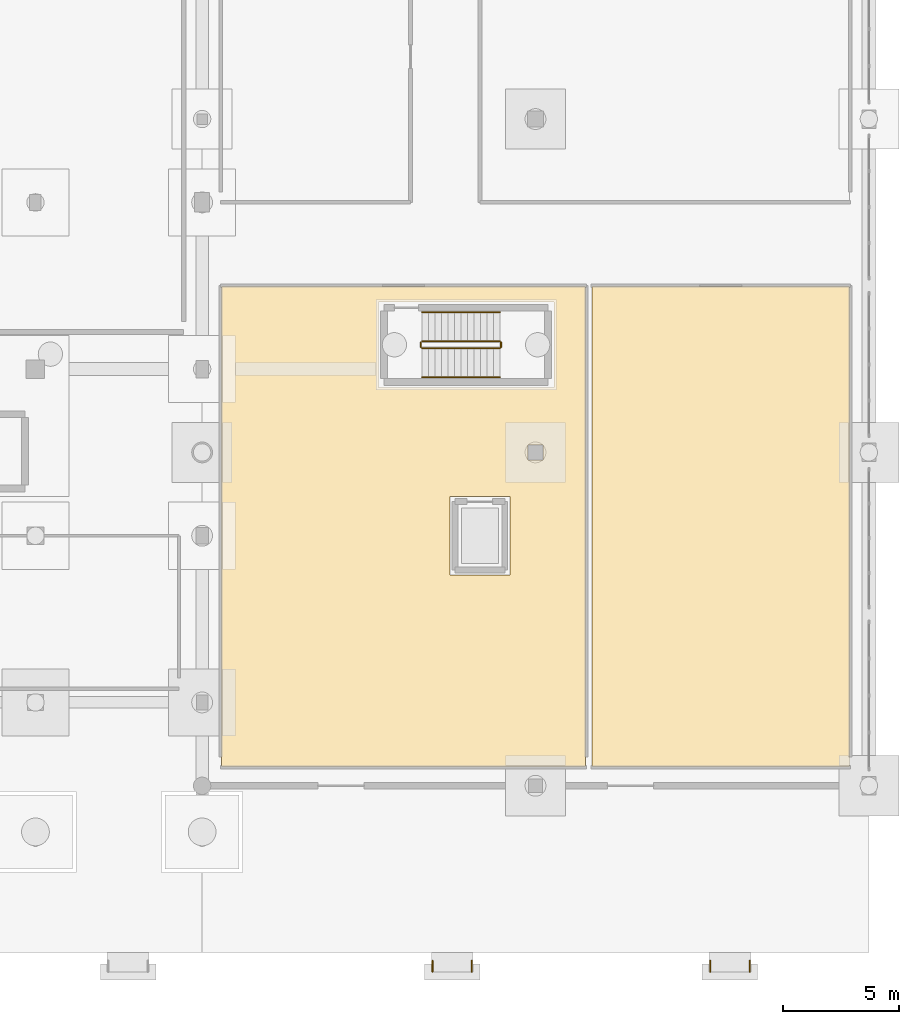
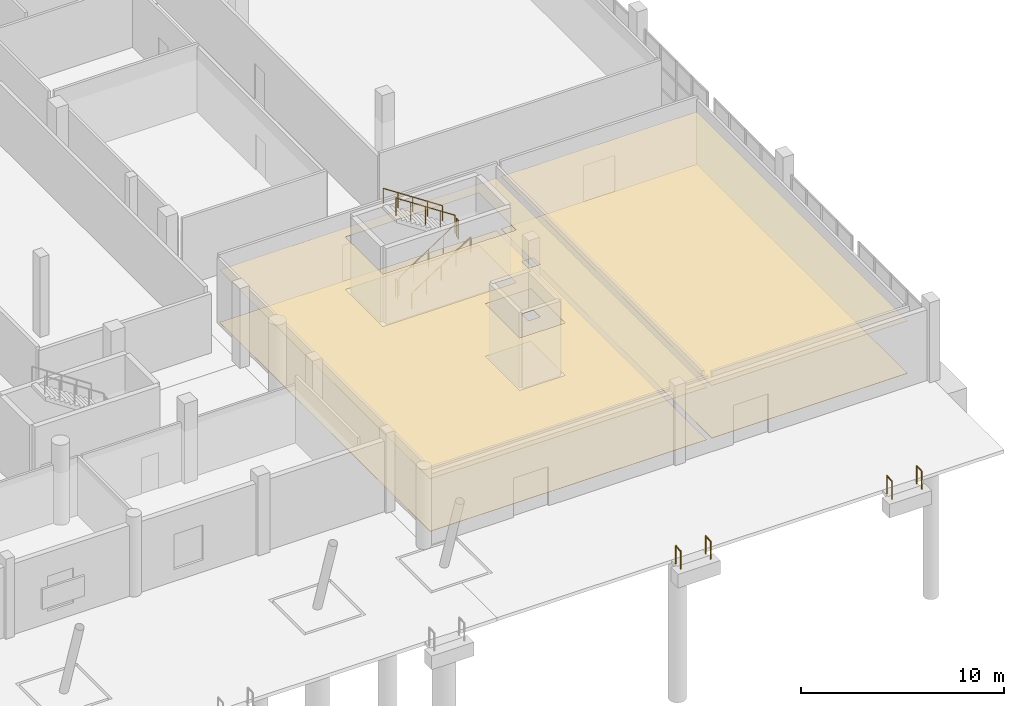
# One storey, part 281 of 285: 10 railings, 4 coverings.
"""IFC4 building model written with IfcOpenShell, lengths in metres."""

from ifc_helpers import new_model, si_unit, direction, frame, origin, origin_2d, place, context, subcontext, project, spatial, polyline, circle, outline, extrude, material, layer, layer_set, type_object, element, save


model = new_model("IFC4")

# Units and contexts
model_context = context("Model", 3, precision=1e-05, world=origin(), true_north=direction((0.0, 1.0)))
body_context = subcontext(model_context, "Body", "Model", "MODEL_VIEW")
ifc_project = project(units=[si_unit("LENGTHUNIT", "METRE"), si_unit("AREAUNIT", "SQUARE_METRE"), si_unit("VOLUMEUNIT", "CUBIC_METRE"), si_unit("PLANEANGLEUNIT", "RADIAN"), si_unit("MASSUNIT", "GRAM", prefix="KILO")], contexts=[model_context])

# Site, building, storey
site_placement = place(None, origin())
site = spatial("IfcSite", under=ifc_project, at=site_placement, CompositionType="ELEMENT")
building_placement = place(site_placement, origin())
building = spatial("IfcBuilding", under=site, at=building_placement, Name="Solanera Park Tramway Depot", CompositionType="ELEMENT")
storey_placement = place(building_placement, origin())
storey = spatial("IfcBuildingStorey", under=building, at=storey_placement, Name="L00", CompositionType="ELEMENT", Elevation=0.0)

# Coverings
ifc_material_1 = material(Name="Acoustic perforated plasterboard and mineral-fibre ceiling")
ifc_layer_1 = layer(ifc_material_1, 0.02001953125)
ifc_layer_set_1 = layer_set([ifc_layer_1], Name="Acoustic perforated plasterboard and mineral-fibre ceiling")
covering_type_1 = type_object("IfcCoveringType", Name="Acoustic Mineral-Fibre Ceiling 20", PredefinedType="CEILING", material=ifc_layer_set_1)
covering_1_placement = place(storey_placement, frame((0.0, 0.0, 3.14990234375)))
element("IfcCovering", 1, at=covering_1_placement, inside=storey, type_object=covering_type_1, Name="Civic Parkland Reception and Ticketing Foyer Acoustic Ceiling", PredefinedType="CEILING", context=body_context, shape_type="SweptSolid", body=[
    extrude(outline(polyline([(203.760009765625, 28.760009765625), (203.760009765625, 8.0400390625), (188.0400390625, 8.0400390625), (188.0400390625, 28.760009765625), (203.760009765625, 28.760009765625)]), holes=[polyline([(194.81005859375, 24.409912109375), (202.389892578125, 24.409912109375), (202.389892578125, 28.090087890625), (194.81005859375, 28.090087890625), (194.81005859375, 24.409912109375)]), polyline([(197.909912109375, 19.68994140625), (197.909912109375, 16.31005859375), (200.489990234375, 16.31005859375), (200.489990234375, 19.68994140625), (197.909912109375, 19.68994140625)]), polyline([(201.927978515625, 21.27197265625), (201.927978515625, 21.927978515625), (201.27197265625, 21.927978515625), (201.27197265625, 21.27197265625), (201.927978515625, 21.27197265625)])]), origin(), (0.0, 0.0, 1.0), 0.02001953125),
])
covering_2_placement = place(storey_placement, frame((0.0, 0.0, 3.14990234375)))
element("IfcCovering", 2, at=covering_2_placement, inside=storey, type_object=covering_type_1, Name="Darwin Tramway Heritage Exhibition Hall Acoustic Ceiling", PredefinedType="CEILING", context=body_context, shape_type="SweptSolid", body=[
    extrude(outline(polyline([(215.159912109375, 8.0400390625), (204.0400390625, 8.0400390625), (204.0400390625, 28.760009765625), (215.159912109375, 28.760009765625), (215.159912109375, 8.0400390625)])), origin(), (0.0, 0.0, 1.0), 0.02001953125),
])

# Railings
ifc_material_2 = material(Name="Steel AS/NZS 1163 Grade C350L0", Category="steel")
ifc_layer_2 = layer(ifc_material_2, 0.050048828125)
ifc_layer_set_2 = layer_set([ifc_layer_2], Name="Steel AS/NZS 1163 Grade C350L0")
railing_type_1 = type_object("IfcRailingType", Name="External Ramp Guardrail 1100", PredefinedType="GUARDRAIL", material=ifc_layer_set_2)
for number, where, name in (
    (3, (197.14990234375, -0.840087890625, -0.06005859375), "Ramp Guardrail RMP-P01"),
    (4, (198.85009765625, -0.840087890625, -0.06005859375), "Ramp Guardrail RMP-P01"),
    (5, (209.14990234375, -0.840087890625, -0.06005859375), "Ramp Guardrail RMP-P02"),
    (6, (210.85009765625, -0.840087890625, -0.06005859375), "Ramp Guardrail RMP-P02"),
):
    element("IfcRailing", number, at=place(storey_placement, frame(where)), inside=storey, type_object=railing_type_1, Name=name, PredefinedType="GUARDRAIL", context=body_context, shape_type="SweptSolid", body=[
        extrude(circle(Radius=0.02392578125, at=origin_2d()), frame((0.0, 0.0, 1.076171875), z_axis=(0.0, 0.997435944579, 0.071564910822), x_axis=(-1.0, 0.0, 0.0)), (0.0, 0.0, 1.0), 0.4912109375),
        extrude(circle(Radius=0.02099609375, at=origin_2d()), origin(), (0.0, 0.0, 1.0), 1.052001953125),
        extrude(circle(Radius=0.02099609375, at=origin_2d()), frame((0.0, 0.489990234375, 0.03515625)), (0.0, 0.0, 1.0), 1.052001953125),
    ])
ifc_material_3 = material(Name="Brushed stainless steel 316 handrail", Category="steel")
ifc_layer_3 = layer(ifc_material_3, 0.050048828125)
ifc_layer_set_3 = layer_set([ifc_layer_3], Name="Brushed stainless steel 316 handrail")
railing_type_2 = type_object("IfcRailingType", Name="Stair Pitch Tubular Handrail 920", PredefinedType="HANDRAIL", material=ifc_layer_set_3)
railing_1_placement = place(storey_placement, frame((196.699951171875, 24.85009765625, 0.1845703125)))
element("IfcRailing", 7, at=railing_1_placement, inside=storey, type_object=railing_type_2, Name="ST-10 L00 Pitch Handrail 1", PredefinedType="HANDRAIL", context=body_context, shape_type="SweptSolid", body=[
    extrude(circle(Radius=0.02392578125, at=origin_2d()), frame((0.0, 0.0, 0.89599609375), z_axis=(0.834876476806, 0.0, 0.550437342915), x_axis=(0.0, 1.0, 0.0)), (0.0, 0.0, 1.0), 4.024658203125),
    extrude(circle(Radius=0.02099609375, at=origin_2d()), origin(), (0.0, 0.0, 1.0), 0.871826171875),
    extrude(circle(Radius=0.02099609375, at=origin_2d()), frame((0.840087890625, 0.0, 0.5537109375)), (0.0, 0.0, 1.0), 0.871826171875),
    extrude(circle(Radius=0.02099609375, at=origin_2d()), frame((1.68017578125, 0.0, 1.107666015625)), (0.0, 0.0, 1.0), 0.871826171875),
    extrude(circle(Radius=0.02099609375, at=origin_2d()), frame((2.52001953125, 0.0, 1.66162109375)), (0.0, 0.0, 1.0), 0.871826171875),
    extrude(circle(Radius=0.02099609375, at=origin_2d()), frame((3.360107421875, 0.0, 2.21533203125)), (0.0, 0.0, 1.0), 0.871826171875),
])
railing_2_placement = place(storey_placement, frame((200.06005859375, 27.64990234375, 2.584716796875)))
element("IfcRailing", 8, at=railing_2_placement, inside=storey, type_object=railing_type_2, Name="ST-10 L00 Pitch Handrail 2", PredefinedType="HANDRAIL", context=body_context, shape_type="SweptSolid", body=[
    extrude(circle(Radius=0.02392578125, at=origin_2d()), frame((0.0, 0.0, 0.89599609375), z_axis=(-0.834876476806, 0.0, 0.550437342915), x_axis=(0.0, -1.0, 0.0)), (0.0, 0.0, 1.0), 4.024658203125),
    extrude(circle(Radius=0.02099609375, at=origin_2d()), origin(), (0.0, 0.0, 1.0), 0.871826171875),
    extrude(circle(Radius=0.02099609375, at=origin_2d()), frame((-0.840087890625, 0.0, 0.5537109375)), (0.0, 0.0, 1.0), 0.871826171875),
    extrude(circle(Radius=0.02099609375, at=origin_2d()), frame((-1.68017578125, 0.0, 1.107666015625)), (0.0, 0.0, 1.0), 0.871826171875),
    extrude(circle(Radius=0.02099609375, at=origin_2d()), frame((-2.52001953125, 0.0, 1.66162109375)), (0.0, 0.0, 1.0), 0.871826171875),
    extrude(circle(Radius=0.02099609375, at=origin_2d()), frame((-3.360107421875, 0.0, 2.21533203125)), (0.0, 0.0, 1.0), 0.871826171875),
])
ifc_material_4 = material(Name="Steel AS/NZS 1163 Grade C350L0", Category="steel")
ifc_layer_4 = layer(ifc_material_4, 0.06005859375)
ifc_layer_set_4 = layer_set([ifc_layer_4], Name="Steel AS/NZS 1163 Grade C350L0")
railing_type_3 = type_object("IfcRailingType", Name="Stairwell Guardrail 1100", PredefinedType="GUARDRAIL", material=ifc_layer_set_4)
railing_3_placement = place(storey_placement, frame((196.699951171875, 26.10009765625, 0.1845703125)))
element("IfcRailing", 9, at=railing_3_placement, inside=storey, type_object=railing_type_3, Name="ST-10 L00 Well Guard 1", PredefinedType="GUARDRAIL", context=body_context, shape_type="SweptSolid", body=[
    extrude(circle(Radius=0.02392578125, at=origin_2d()), frame((0.0, 0.0, 1.076171875), z_axis=(0.834876476806, 0.0, 0.550437342915), x_axis=(0.0, 1.0, 0.0)), (0.0, 0.0, 1.0), 4.024658203125),
    extrude(circle(Radius=0.02099609375, at=origin_2d()), origin(), (0.0, 0.0, 1.0), 1.052001953125),
    extrude(circle(Radius=0.02099609375, at=origin_2d()), frame((0.840087890625, 0.0, 0.5537109375)), (0.0, 0.0, 1.0), 1.052001953125),
    extrude(circle(Radius=0.02099609375, at=origin_2d()), frame((1.68017578125, 0.0, 1.107666015625)), (0.0, 0.0, 1.0), 1.052001953125),
    extrude(circle(Radius=0.02099609375, at=origin_2d()), frame((2.52001953125, 0.0, 1.66162109375)), (0.0, 0.0, 1.0), 1.052001953125),
    extrude(circle(Radius=0.02099609375, at=origin_2d()), frame((3.360107421875, 0.0, 2.21533203125)), (0.0, 0.0, 1.0), 1.052001953125),
])
railing_4_placement = place(storey_placement, frame((200.110107421875, 26.14990234375, 2.39990234375)))
element("IfcRailing", 10, at=railing_4_placement, inside=storey, type_object=railing_type_3, Name="ST-10 L00 Well Guard 2", PredefinedType="GUARDRAIL", context=body_context, shape_type="SweptSolid", body=[
    extrude(circle(Radius=0.02392578125, at=origin_2d()), frame((0.0, 0.0, 1.076171875), z_axis=(0.0, 1.0, 0.0), x_axis=(-1.0, 0.0, 0.0)), (0.0, 0.0, 1.0), 0.2001953125),
    extrude(circle(Radius=0.02099609375, at=origin_2d()), origin(), (0.0, 0.0, 1.0), 1.052001953125),
    extrude(circle(Radius=0.02099609375, at=origin_2d()), frame((0.0, 0.2001953125, 0.0)), (0.0, 0.0, 1.0), 1.052001953125),
])
railing_5_placement = place(storey_placement, frame((200.06005859375, 26.39990234375, 2.584716796875)))
element("IfcRailing", 11, at=railing_5_placement, inside=storey, type_object=railing_type_3, Name="ST-10 L00 Well Guard 3", PredefinedType="GUARDRAIL", context=body_context, shape_type="SweptSolid", body=[
    extrude(circle(Radius=0.02392578125, at=origin_2d()), frame((0.0, 0.0, 1.076171875), z_axis=(-0.834876476806, 0.0, 0.550437342915), x_axis=(0.0, -1.0, 0.0)), (0.0, 0.0, 1.0), 4.024658203125),
    extrude(circle(Radius=0.02099609375, at=origin_2d()), origin(), (0.0, 0.0, 1.0), 1.052001953125),
    extrude(circle(Radius=0.02099609375, at=origin_2d()), frame((-0.840087890625, 0.0, 0.5537109375)), (0.0, 0.0, 1.0), 1.052001953125),
    extrude(circle(Radius=0.02099609375, at=origin_2d()), frame((-1.68017578125, 0.0, 1.107666015625)), (0.0, 0.0, 1.0), 1.052001953125),
    extrude(circle(Radius=0.02099609375, at=origin_2d()), frame((-2.52001953125, 0.0, 1.66162109375)), (0.0, 0.0, 1.0), 1.052001953125),
    extrude(circle(Radius=0.02099609375, at=origin_2d()), frame((-3.360107421875, 0.0, 2.21533203125)), (0.0, 0.0, 1.0), 1.052001953125),
])
railing_6_placement = place(storey_placement, frame((196.64990234375, 26.14990234375, 0.0)))
element("IfcRailing", 12, at=railing_6_placement, inside=storey, type_object=railing_type_3, Name="ST-10 L00 Well Guard 4", PredefinedType="GUARDRAIL", context=body_context, shape_type="SweptSolid", body=[
    extrude(circle(Radius=0.02392578125, at=origin_2d()), frame((0.0, 0.0, 1.076171875), z_axis=(0.0, 1.0, 0.0), x_axis=(-1.0, 0.0, 0.0)), (0.0, 0.0, 1.0), 0.2001953125),
    extrude(circle(Radius=0.02099609375, at=origin_2d()), origin(), (0.0, 0.0, 1.0), 1.052001953125),
    extrude(circle(Radius=0.02099609375, at=origin_2d()), frame((0.0, 0.2001953125, 0.0)), (0.0, 0.0, 1.0), 1.052001953125),
])

# Coverings
ifc_material_5 = material(Name="Vitrified terracotta quarry floor tile", Category="masonry")
ifc_layer_5 = layer(ifc_material_5, 0.01806640625)
ifc_layer_set_5 = layer_set([ifc_layer_5], Name="Vitrified terracotta quarry floor tile")
covering_type_2 = type_object("IfcCoveringType", Name="Terracotta Quarry Tile Flooring 18", PredefinedType="FLOORING", material=ifc_layer_set_5)
covering_3_placement = place(storey_placement, origin())
element("IfcCovering", 13, at=covering_3_placement, inside=storey, type_object=covering_type_2, Name="Civic Parkland Reception and Ticketing Foyer Floor Finish", PredefinedType="FLOORING", context=body_context, shape_type="SweptSolid", body=[
    extrude(outline(polyline([(203.760009765625, 28.760009765625), (203.760009765625, 8.0400390625), (188.0400390625, 8.0400390625), (188.0400390625, 28.760009765625), (203.760009765625, 28.760009765625)]), holes=[polyline([(194.81005859375, 24.409912109375), (202.389892578125, 24.409912109375), (202.389892578125, 28.090087890625), (194.81005859375, 28.090087890625), (194.81005859375, 24.409912109375)]), polyline([(197.909912109375, 19.68994140625), (197.909912109375, 16.31005859375), (200.489990234375, 16.31005859375), (200.489990234375, 19.68994140625), (197.909912109375, 19.68994140625)]), polyline([(201.929931640625, 21.27001953125), (201.929931640625, 21.929931640625), (201.27001953125, 21.929931640625), (201.27001953125, 21.27001953125), (201.929931640625, 21.27001953125)])]), origin(), (0.0, 0.0, 1.0), 0.01806640625),
])
covering_4_placement = place(storey_placement, origin())
element("IfcCovering", 14, at=covering_4_placement, inside=storey, type_object=covering_type_2, Name="Darwin Tramway Heritage Exhibition Hall Floor Finish", PredefinedType="FLOORING", context=body_context, shape_type="SweptSolid", body=[
    extrude(outline(polyline([(215.159912109375, 8.0400390625), (204.0400390625, 8.0400390625), (204.0400390625, 28.760009765625), (215.159912109375, 28.760009765625), (215.159912109375, 8.0400390625)])), origin(), (0.0, 0.0, 1.0), 0.01806640625),
])

save(model, "model.ifc")
